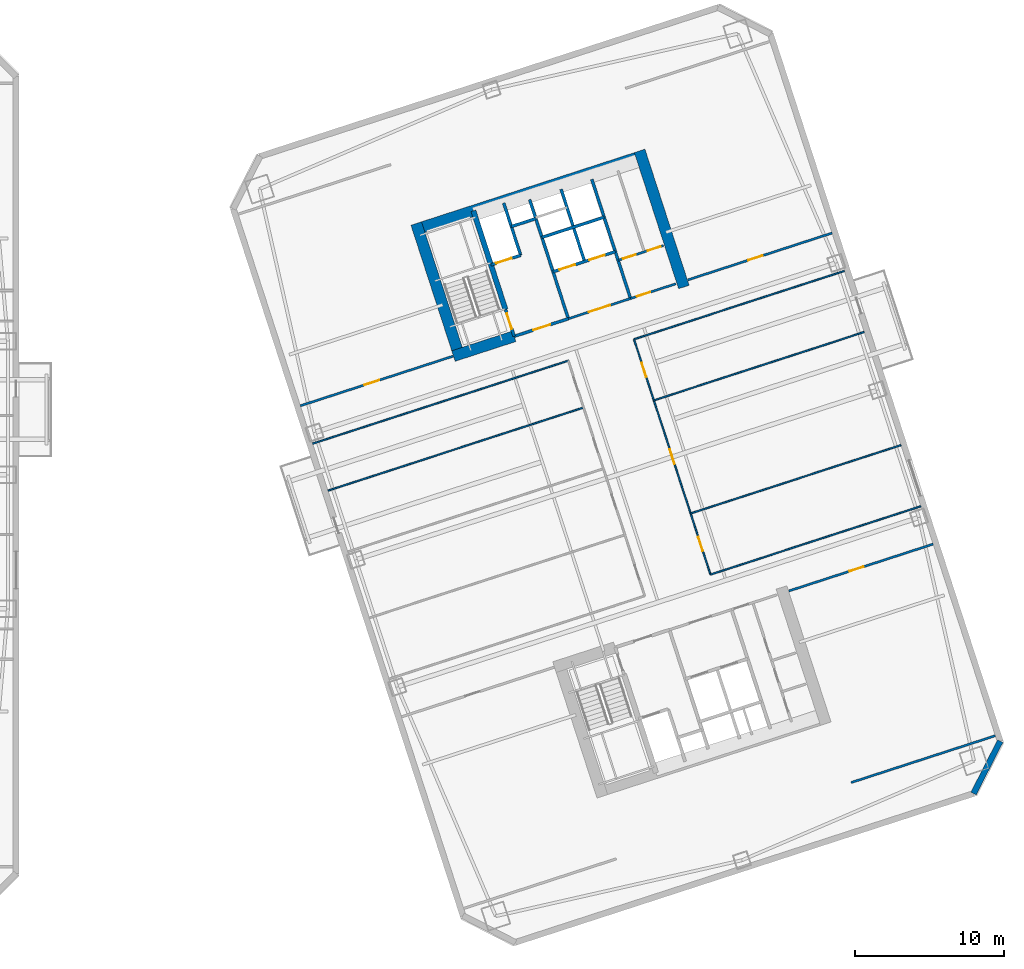
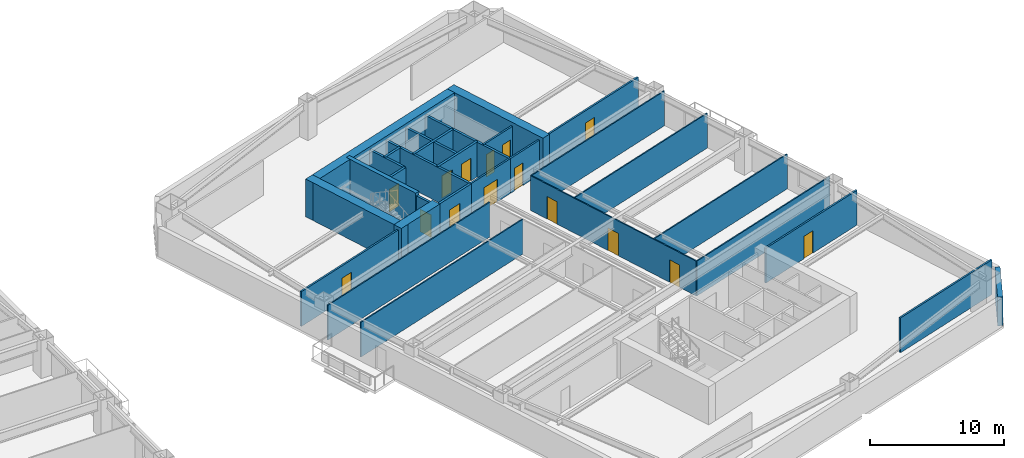
# One storey, part 8 of 15: 30 walls, 15 doors, 15 openings.
"""IFC4 building model written with IfcOpenShell, lengths in metres."""

from ifc_helpers import new_model, si_unit, direction, frame, frame_2d, origin, place, context, subcontext, project, spatial, rectangle, extrude, material, layer, layer_set, type_object, element, fill, save


model = new_model("IFC4")

# Units and contexts
model_context = context("Model", 3, precision=1e-05, world=origin(), true_north=direction((0.0, 1.0)))
body_context = subcontext(model_context, "Body", "Model", "MODEL_VIEW")
ifc_project = project(units=[si_unit("LENGTHUNIT", "METRE"), si_unit("AREAUNIT", "SQUARE_METRE"), si_unit("VOLUMEUNIT", "CUBIC_METRE"), si_unit("PLANEANGLEUNIT", "RADIAN"), si_unit("MASSUNIT", "GRAM", prefix="KILO")], contexts=[model_context])

# Site, building, storey
site_placement = place(None, origin())
site = spatial("IfcSite", under=ifc_project, at=site_placement, CompositionType="ELEMENT")
building_placement = place(site_placement, origin())
building = spatial("IfcBuilding", under=site, at=building_placement, Name="Qiaolan Cultural Towers", CompositionType="ELEMENT")
storey_placement = place(building_placement, frame((0.0, 0.0, 50.60009765625)))
storey = spatial("IfcBuildingStorey", under=building, at=storey_placement, Name="L11", CompositionType="ELEMENT", Elevation=50.60009765625)

# Walls
ifc_material_1 = material(Name="Concrete C50", Category="concrete")
ifc_layer_1 = layer(ifc_material_1, 0.35009765625)
ifc_layer_set_1 = layer_set([ifc_layer_1], Name="Concrete C50")
wall_type_1 = type_object("IfcWallType", Name="WL-CORE-350", PredefinedType="SHEAR", material=ifc_layer_set_1)
wall_1_placement = place(storey_placement, frame((82.513671875, 45.13134765625, 0.0), z_axis=(0.0, 0.0, 1.0), x_axis=(-0.308988790936, 0.951065679686, 0.0)))
element("IfcWall", 1, at=wall_1_placement, inside=storey, type_object=wall_type_1, Name="L11 T2-CN Stair Core Dividing Web", PredefinedType="SHEAR", context=body_context, shape_type="SweptSolid", body=[
    extrude(rectangle(XDim=6.97998046875, YDim=0.35009765625, at=frame_2d((3.489990234375, 0.0))), origin(), (0.0, 0.0, 1.0), 3.449951171875),
])
ifc_material_2 = material(Name="Concrete C60", Category="concrete")
ifc_layer_2 = layer(ifc_material_2, 0.75)
ifc_layer_set_2 = layer_set([ifc_layer_2], Name="Concrete C60")
wall_type_2 = type_object("IfcWallType", Name="WL-CORE-750", PredefinedType="SHEAR", material=ifc_layer_set_2)
wall_2_placement = place(storey_placement, frame((76.27197265625, 50.442626953125, 0.0), z_axis=(0.0, 0.0, 1.0), x_axis=(0.951056072937, 0.309018358888, 0.0)))
element("IfcWall", 2, at=wall_2_placement, inside=storey, type_object=wall_type_2, Name="L11 T2-CN Outer Core Shear Wall", PredefinedType="SHEAR", context=body_context, shape_type="SweptSolid", body=[
    extrude(rectangle(XDim=16.550048828125, YDim=0.75, at=frame_2d((8.27490234375, 0.0))), origin(), (0.0, 0.0, 1.0), 3.449951171875),
])
for number, where, z_axis, x_axis, name in (
    (3, (79.48876953125, 41.75634765625, 0.0), (0.0, 0.0, 1.0), (-0.309016134813, 0.951056795583, 0.0), "L11 T2-CN West Core Shear Wall"),
    (4, (94.515380859375, 46.638916015625, 0.0), (0.0, 0.0, 1.0), (-0.309016134813, 0.951056795583, 0.0), "L11 T2-CN East Core Shear Wall"),
):
    element("IfcWall", number, at=place(storey_placement, frame(where, z_axis=z_axis, x_axis=x_axis)), inside=storey, type_object=wall_type_2, Name=name, PredefinedType="SHEAR", context=body_context, shape_type="SweptSolid", body=[
        extrude(rectangle(XDim=9.630126953125, YDim=0.75, at=frame_2d((4.81494140625, 0.0))), origin(), (0.0, 0.0, 1.0), 3.449951171875),
    ])
wall_3_placement = place(storey_placement, frame((79.01611328125, 41.997314453125, 0.0), z_axis=(0.0, 0.0, 1.0), x_axis=(0.95106038264, 0.309005094736, 0.0)))
element("IfcWall", 5, at=wall_3_placement, inside=storey, type_object=wall_type_2, Name="L11 T2-CN Stair Front Shear Wall", PredefinedType="SHEAR", context=body_context, shape_type="SweptSolid", body=[
    extrude(rectangle(XDim=4.294921875, YDim=0.75, at=frame_2d((2.1474609375, 0.0))), origin(), (0.0, 0.0, 1.0), 3.449951171875),
])
ifc_material_3 = material(Name="Precast Concrete C50 Honed Stone Pier", Category="masonry")
ifc_layer_3 = layer(ifc_material_3, 0.39990234375)
ifc_layer_set_3 = layer_set([ifc_layer_3], Name="Precast Concrete C50 Honed Stone Pier")
wall_type_3 = type_object("IfcWallType", Name="WL-EXT-PIER-400", PredefinedType="SOLIDWALL", material=ifc_layer_set_3)
wall_4_placement = place(storey_placement, frame((115.79541015625, 16.094970703125, 0.0), z_axis=(0.0, 0.0, 1.0), x_axis=(-0.453958106755, -0.891023028497, 0.0)))
element("IfcWall", 6, at=wall_4_placement, inside=storey, type_object=wall_type_3, Name="L11 East Tower Precast Pier Facade Wall F6", PredefinedType="SOLIDWALL", context=body_context, shape_type="SweptSolid", body=[
    extrude(rectangle(XDim=3.9599609375, YDim=0.39990234375, at=frame_2d((1.97998046875, 0.0))), origin(), (0.0, 0.0, 1.0), 2.60986328125),
])

# Wall, opening, door
ifc_material_4 = material(Name="Concrete C35 Fire Wall", Category="concrete")
ifc_layer_4 = layer(ifc_material_4, 0.199951171875)
ifc_layer_set_4 = layer_set([ifc_layer_4], Name="Concrete C35 Fire Wall")
wall_type_4 = type_object("IfcWallType", Name="WL-FIRE-200", PredefinedType="PARTITIONING", material=ifc_layer_set_4)
wall_5_placement = place(storey_placement, frame((83.100830078125, 43.324462890625, 0.0), z_axis=(0.0, 0.0, 1.0), x_axis=(-0.309048298632, 0.951046344356, 0.0)))
wall_5 = element("IfcWall", 7, at=wall_5_placement, inside=storey, type_object=wall_type_4, Name="L11 T2-CN Smokeproof Stair Entry Wall", PredefinedType="PARTITIONING", context=body_context, shape_type="SweptSolid", body=[
    extrude(rectangle(XDim=1.89990234375, YDim=0.199951171875, at=frame_2d((0.949951171875, 0.0))), origin(), (0.0, 0.0, 1.0), 3.1748046875),
])
opening_1_placement = place(wall_5_placement, frame((0.52001953125, 0.0, 0.0)))
opening_1 = element("IfcOpeningElement", 8, at=opening_1_placement, cuts=wall_5, Name="Opening FD-04", PredefinedType="OPENING", context=body_context, shape_type="SweptSolid", body=[
    extrude(rectangle(XDim=1.10009765625, YDim=2.050048828125, at=frame_2d((0.550048828125, 1.02490234375))), frame((0.0, 0.10986328125, 0.0), z_axis=(0.0, -1.0, 0.0), x_axis=(1.0, 0.0, 0.0)), (0.0, 0.0, 1.0), 0.219970703125),
])
ifc_material_5 = material(Name="Galvanized Steel Command Fire Door", Category="steel")
door_type_1 = type_object("IfcDoorType", Name="DR-FD90-1100", OperationType="NOTDEFINED", PredefinedType="DOOR", material=ifc_material_5)
door_1_placement = place(opening_1_placement, origin())
door_1 = element("IfcDoor", 9, at=door_1_placement, inside=storey, type_object=door_type_1, Name="L11 ST-E2 Smokeproof Stair Fire Door", OperationType="SINGLE_SWING_LEFT", OverallHeight=2.050048828125, OverallWidth=1.10009765625, PredefinedType="DOOR", context=body_context, shape_type="SweptSolid", body=[
    extrude(rectangle(XDim=1.10009765625, YDim=2.050048828125, at=frame_2d((0.550048828125, 1.02490234375))), frame((0.0, 0.02490234375, 0.0), z_axis=(0.0, -1.0, 0.0), x_axis=(1.0, 0.0, 0.0)), (0.0, 0.0, 1.0), 0.050048828125),
])
fill(opening_1, door_1)

# Wall
wall_6_placement = place(storey_placement, frame((86.743408203125, 44.508056640625, 0.0), z_axis=(0.0, 0.0, 1.0), x_axis=(-0.309016001439, 0.951056838919, 0.0)))
element("IfcWall", 10, at=wall_6_placement, inside=storey, type_object=wall_type_4, Name="L11 T2-CN Firefighting Zone Wall", PredefinedType="PARTITIONING", context=body_context, shape_type="SweptSolid", body=[
    extrude(rectangle(XDim=8.429931640625, YDim=0.199951171875, at=frame_2d((4.21484375, 0.0))), origin(), (0.0, 0.0, 1.0), 3.1748046875),
])

# Wall, opening, door
wall_7_placement = place(storey_placement, frame((83.100830078125, 43.324462890625, 0.0), z_axis=(0.0, 0.0, 1.0), x_axis=(0.951052804469, 0.309028417967, 0.0)))
wall_7 = element("IfcWall", 11, at=wall_7_placement, inside=storey, type_object=wall_type_4, Name="L11 T2-CN Firefighting Lobby Front Wall", PredefinedType="PARTITIONING", context=body_context, shape_type="SweptSolid", body=[
    extrude(rectangle(XDim=3.830078125, YDim=0.199951171875, at=frame_2d((1.9150390625, 0.0))), origin(), (0.0, 0.0, 1.0), 3.1748046875),
])
opening_2_placement = place(wall_7_placement, frame((1.35009765625, 0.0, 0.0)))
opening_2 = element("IfcOpeningElement", 12, at=opening_2_placement, cuts=wall_7, Name="Opening FD-03", PredefinedType="OPENING", context=body_context, shape_type="SweptSolid", body=[
    extrude(rectangle(XDim=1.199951171875, YDim=2.050048828125, at=frame_2d((0.60009765625, 1.02490234375))), frame((0.0, 0.10986328125, 0.0), z_axis=(0.0, -1.0, 0.0), x_axis=(1.0, 0.0, 0.0)), (0.0, 0.0, 1.0), 0.219970703125),
])
ifc_material_6 = material(Name="Galvanized Steel Smokeproof Lobby Fire Door", Category="steel")
door_type_2 = type_object("IfcDoorType", Name="DR-FD90-1200", OperationType="NOTDEFINED", PredefinedType="DOOR", material=ifc_material_6)
door_2_placement = place(opening_2_placement, origin())
door_2 = element("IfcDoor", 13, at=door_2_placement, inside=storey, type_object=door_type_2, Name="L11 FFL-E2 Firefighting Lobby Fire Door", OperationType="SINGLE_SWING_LEFT", OverallHeight=2.050048828125, OverallWidth=1.199951171875, PredefinedType="DOOR", context=body_context, shape_type="SweptSolid", body=[
    extrude(rectangle(XDim=1.199951171875, YDim=2.050048828125, at=frame_2d((0.60009765625, 1.02490234375))), frame((0.0, 0.02490234375, 0.0), z_axis=(0.0, -1.0, 0.0), x_axis=(1.0, 0.0, 0.0)), (0.0, 0.0, 1.0), 0.050048828125),
])
fill(opening_2, door_2)

wall_8_placement = place(storey_placement, frame((81.540283203125, 48.127197265625, 0.0), z_axis=(0.0, 0.0, 1.0), x_axis=(0.951062257173, 0.308999325213, 0.0)))
wall_8 = element("IfcWall", 14, at=wall_8_placement, inside=storey, type_object=wall_type_4, Name="L11 T2-CN Firefighting Shaft Front Wall", PredefinedType="PARTITIONING", context=body_context, shape_type="SweptSolid", body=[
    extrude(rectangle(XDim=2.10009765625, YDim=0.199951171875, at=frame_2d((1.050048828125, 0.0))), origin(), (0.0, 0.0, 1.0), 3.1748046875),
])
opening_3_placement = place(wall_8_placement, frame((0.35009765625, 0.0, 0.0)))
opening_3 = element("IfcOpeningElement", 15, at=opening_3_placement, cuts=wall_8, Name="Opening LD-01", PredefinedType="OPENING", context=body_context, shape_type="SweptSolid", body=[
    extrude(rectangle(XDim=1.10009765625, YDim=2.050048828125, at=frame_2d((0.550048828125, 1.02490234375))), frame((0.0, 0.10986328125, 0.0), z_axis=(0.0, -1.0, 0.0), x_axis=(1.0, 0.0, 0.0)), (0.0, 0.0, 1.0), 0.219970703125),
])
ifc_material_7 = material(Name="Brushed Stainless Steel S30408 Centre-Parting Lift Landing Door", Category="steel")
door_type_3 = type_object("IfcDoorType", Name="DR-LIFT-1100", OperationType="NOTDEFINED", PredefinedType="DOOR", material=ifc_material_7)
door_3_placement = place(opening_3_placement, origin())
door_3 = element("IfcDoor", 16, at=door_3_placement, inside=storey, type_object=door_type_3, Name="L11 FFL-E2 Firefighting Lift Landing Door", OperationType="DOUBLE_DOOR_SLIDING", OverallHeight=2.050048828125, OverallWidth=1.10009765625, PredefinedType="DOOR", context=body_context, shape_type="SweptSolid", body=[
    extrude(rectangle(XDim=1.10009765625, YDim=2.050048828125, at=frame_2d((0.550048828125, 1.02490234375))), frame((0.0, 0.02490234375, 0.0), z_axis=(0.0, -1.0, 0.0), x_axis=(1.0, 0.0, 0.0)), (0.0, 0.0, 1.0), 0.050048828125),
])
fill(opening_3, door_3)

# Walls
wall_9_placement = place(storey_placement, frame((83.53759765625, 48.776123046875, 0.0), z_axis=(0.0, 0.0, 1.0), x_axis=(-0.3089935693, 0.951064127245, 0.0)))
element("IfcWall", 17, at=wall_9_placement, inside=storey, type_object=wall_type_4, Name="L11 T2-CN Firefighting Hoistway East Wall", PredefinedType="PARTITIONING", context=body_context, shape_type="SweptSolid", body=[
    extrude(rectangle(XDim=3.7001953125, YDim=0.199951171875, at=frame_2d((1.85009765625, 0.0))), origin(), (0.0, 0.0, 1.0), 3.1748046875),
])
wall_10_placement = place(storey_placement, frame((82.910400390625, 50.706787109375, 0.0), z_axis=(0.0, 0.0, 1.0), x_axis=(0.951041328149, 0.309063734775, 0.0)))
element("IfcWall", 18, at=wall_10_placement, inside=storey, type_object=wall_type_4, Name="L11 T2-CN Pressurization Shaft Front Wall", PredefinedType="PARTITIONING", context=body_context, shape_type="SweptSolid", body=[
    extrude(rectangle(XDim=1.72998046875, YDim=0.199951171875, at=frame_2d((0.864990234375, 0.0))), origin(), (0.0, 0.0, 1.0), 3.1748046875),
])
wall_11_placement = place(storey_placement, frame((90.92822265625, 45.86767578125, 0.0), z_axis=(0.0, 0.0, 1.0), x_axis=(-0.309042196757, 0.951048327176, 0.0)))
element("IfcWall", 19, at=wall_11_placement, inside=storey, type_object=wall_type_4, Name="L11 T2-CN Lift Core East Wall", PredefinedType="PARTITIONING", context=body_context, shape_type="SweptSolid", body=[
    extrude(rectangle(XDim=8.429931640625, YDim=0.199951171875, at=frame_2d((4.21484375, 0.0))), origin(), (0.0, 0.0, 1.0), 3.1748046875),
])

# Wall, openings, doors
wall_12_placement = place(storey_placement, frame((85.717529296875, 47.66552734375, 0.0), z_axis=(0.0, 0.0, 1.0), x_axis=(0.951058531764, 0.30901079133, 0.0)))
wall_12 = element("IfcWall", 20, at=wall_12_placement, inside=storey, type_object=wall_type_4, Name="L11 T2-CN Passenger Lift Shaft Front Wall", PredefinedType="PARTITIONING", context=body_context, shape_type="SweptSolid", body=[
    extrude(rectangle(XDim=4.39990234375, YDim=0.199951171875, at=frame_2d((2.199951171875, 0.0))), origin(), (0.0, 0.0, 1.0), 3.1748046875),
])
opening_4_placement = place(wall_12_placement, frame((0.449951171875, 0.0, 0.0)))
opening_4 = element("IfcOpeningElement", 21, at=opening_4_placement, cuts=wall_12, Name="Opening LD-01", PredefinedType="OPENING", context=body_context, shape_type="SweptSolid", body=[
    extrude(rectangle(XDim=1.10009765625, YDim=2.050048828125, at=frame_2d((0.550048828125, 1.02490234375))), frame((0.0, 0.10986328125, 0.0), z_axis=(0.0, -1.0, 0.0), x_axis=(1.0, 0.0, 0.0)), (0.0, 0.0, 1.0), 0.219970703125),
])
opening_5_placement = place(wall_12_placement, frame((2.550048828125, 0.0, 0.0)))
opening_5 = element("IfcOpeningElement", 22, at=opening_5_placement, cuts=wall_12, Name="Opening LD-01", PredefinedType="OPENING", context=body_context, shape_type="SweptSolid", body=[
    extrude(rectangle(XDim=1.10009765625, YDim=2.050048828125, at=frame_2d((0.550048828125, 1.02490234375))), frame((0.0, 0.10986328125, 0.0), z_axis=(0.0, -1.0, 0.0), x_axis=(1.0, 0.0, 0.0)), (0.0, 0.0, 1.0), 0.219970703125),
])
door_4_placement = place(opening_4_placement, origin())
door_4 = element("IfcDoor", 23, at=door_4_placement, inside=storey, type_object=door_type_3, Name="L11 Passenger Lift 1 Landing Door", OperationType="DOUBLE_DOOR_SLIDING", OverallHeight=2.050048828125, OverallWidth=1.10009765625, PredefinedType="DOOR", context=body_context, shape_type="SweptSolid", body=[
    extrude(rectangle(XDim=1.10009765625, YDim=2.050048828125, at=frame_2d((0.550048828125, 1.02490234375))), frame((0.0, 0.02490234375, 0.0), z_axis=(0.0, -1.0, 0.0), x_axis=(1.0, 0.0, 0.0)), (0.0, 0.0, 1.0), 0.050048828125),
])
fill(opening_4, door_4)
door_5_placement = place(opening_5_placement, origin())
door_5 = element("IfcDoor", 24, at=door_5_placement, inside=storey, type_object=door_type_3, Name="L11 Passenger Lift 2 Landing Door", OperationType="DOUBLE_DOOR_SLIDING", OverallHeight=2.050048828125, OverallWidth=1.10009765625, PredefinedType="DOOR", context=body_context, shape_type="SweptSolid", body=[
    extrude(rectangle(XDim=1.10009765625, YDim=2.050048828125, at=frame_2d((0.550048828125, 1.02490234375))), frame((0.0, 0.02490234375, 0.0), z_axis=(0.0, -1.0, 0.0), x_axis=(1.0, 0.0, 0.0)), (0.0, 0.0, 1.0), 0.050048828125),
])
fill(opening_5, door_5)

# Walls
wall_13_placement = place(storey_placement, frame((87.83837890625, 48.3544921875, 0.0), z_axis=(0.0, 0.0, 1.0), x_axis=(-0.3090093719, 0.951058992953, 0.0)))
element("IfcWall", 25, at=wall_13_placement, inside=storey, type_object=wall_type_4, Name="L11 T2-CN Lift Shaft Divider Wall", PredefinedType="PARTITIONING", context=body_context, shape_type="SweptSolid", body=[
    extrude(rectangle(XDim=5.110107421875, YDim=0.199951171875, at=frame_2d((2.55517578125, 0.0))), origin(), (0.0, 0.0, 1.0), 3.1748046875),
])
wall_14_placement = place(storey_placement, frame((84.966552734375, 49.9765625, 0.0), z_axis=(0.0, 0.0, 1.0), x_axis=(0.951063829732, 0.308994485023, 0.0)))
element("IfcWall", 26, at=wall_14_placement, inside=storey, type_object=wall_type_4, Name="L11 T2-CN Passenger Lift Shaft Back Wall", PredefinedType="PARTITIONING", context=body_context, shape_type="SweptSolid", body=[
    extrude(rectangle(XDim=4.400146484375, YDim=0.199951171875, at=frame_2d((2.2001953125, 0.0))), origin(), (0.0, 0.0, 1.0), 3.1748046875),
])
ifc_material_8 = material(Name="Acoustic Double-Glazed Partition Frame", Category="glass")
ifc_layer_5 = layer(ifc_material_8, 0.10009765625)
ifc_layer_set_5 = layer_set([ifc_layer_5], Name="Acoustic Double-Glazed Partition Frame")
wall_type_5 = type_object("IfcWallType", Name="WL-GLAZED-100", PredefinedType="MOVABLE", material=ifc_layer_set_5)
wall_15_placement = place(storey_placement, frame((96.303955078125, 27.300048828125, 0.0), z_axis=(0.0, 0.0, 1.0), x_axis=(0.951055535739, 0.309020012199, 0.0)))
element("IfcWall", 27, at=wall_15_placement, inside=storey, type_object=wall_type_5, Name="L11 T2 South Corridor Right Wall", PredefinedType="MOVABLE", context=body_context, shape_type="SweptSolid", body=[
    extrude(rectangle(XDim=14.875, YDim=0.10009765625, at=frame_2d((7.4375, 0.0))), origin(), (0.0, 0.0, 1.0), 3.1748046875),
])
wall_16_placement = place(storey_placement, frame((69.549072265625, 36.103271484375, 0.0), z_axis=(0.0, 0.0, 1.0), x_axis=(0.951057491432, 0.309013993197, 0.0)))
element("IfcWall", 28, at=wall_16_placement, inside=storey, type_object=wall_type_5, Name="L11 T2 North Corridor Left Wall", PredefinedType="MOVABLE", context=body_context, shape_type="SweptSolid", body=[
    extrude(rectangle(XDim=18.074951171875, YDim=0.10009765625, at=frame_2d((9.03759765625, 0.0))), origin(), (0.0, 0.0, 1.0), 3.1748046875),
])
wall_17_placement = place(storey_placement, frame((91.161865234375, 43.125732421875, 0.0), z_axis=(0.0, 0.0, 1.0), x_axis=(0.951055535739, 0.309020012199, 0.0)))
element("IfcWall", 29, at=wall_17_placement, inside=storey, type_object=wall_type_5, Name="L11 T2 North Corridor Right Wall", PredefinedType="MOVABLE", context=body_context, shape_type="SweptSolid", body=[
    extrude(rectangle(XDim=14.875, YDim=0.10009765625, at=frame_2d((7.4375, 0.0))), origin(), (0.0, 0.0, 1.0), 3.1748046875),
])

# Wall, openings, doors
wall_18_placement = place(storey_placement, frame((96.303955078125, 27.300048828125, 0.0), z_axis=(0.0, 0.0, 1.0), x_axis=(-0.30901773025, 0.951056277195, 0.0)))
wall_18 = element("IfcWall", 30, at=wall_18_placement, inside=storey, type_object=wall_type_5, Name="L11 T2 East Spine Wall", PredefinedType="MOVABLE", context=body_context, shape_type="SweptSolid", body=[
    extrude(rectangle(XDim=16.64013671875, YDim=0.10009765625, at=frame_2d((8.320068359375, 0.0))), origin(), (0.0, 0.0, 1.0), 3.1748046875),
])
opening_6_placement = place(wall_18_placement, frame((1.659912109375, 0.0, 0.0)))
opening_6 = element("IfcOpeningElement", 31, at=opening_6_placement, cuts=wall_18, Name="Opening ID-04", PredefinedType="OPENING", context=body_context, shape_type="SweptSolid", body=[
    extrude(rectangle(XDim=1.0, YDim=2.050048828125, at=frame_2d((0.5, 1.02490234375))), frame((0.0, 0.06005859375, 0.0), z_axis=(0.0, -1.0, 0.0), x_axis=(1.0, 0.0, 0.0)), (0.0, 0.0, 1.0), 0.1201171875),
])
opening_7_placement = place(wall_18_placement, frame((7.820068359375, 0.0, 0.0)))
opening_7 = element("IfcOpeningElement", 32, at=opening_7_placement, cuts=wall_18, Name="Opening ID-07", PredefinedType="OPENING", context=body_context, shape_type="SweptSolid", body=[
    extrude(rectangle(XDim=1.050048828125, YDim=2.050048828125, at=frame_2d((0.52490234375, 1.02490234375))), frame((0.0, 0.06005859375, 0.0), z_axis=(0.0, -1.0, 0.0), x_axis=(1.0, 0.0, 0.0)), (0.0, 0.0, 1.0), 0.1201171875),
])
opening_8_placement = place(wall_18_placement, frame((13.97998046875, 0.0, 0.0)))
opening_8 = element("IfcOpeningElement", 33, at=opening_8_placement, cuts=wall_18, Name="Opening ID-04", PredefinedType="OPENING", context=body_context, shape_type="SweptSolid", body=[
    extrude(rectangle(XDim=1.0, YDim=2.050048828125, at=frame_2d((0.5, 1.02490234375))), frame((0.0, 0.06005859375, 0.0), z_axis=(0.0, -1.0, 0.0), x_axis=(1.0, 0.0, 0.0)), (0.0, 0.0, 1.0), 0.1201171875),
])
ifc_material_9 = material(Name="Oak Veneer Acoustic Office Door", Category="timber")
door_type_4 = type_object("IfcDoorType", Name="DR-INT-1000", OperationType="NOTDEFINED", PredefinedType="DOOR", material=ifc_material_9)
door_6_placement = place(opening_6_placement, origin())
door_6 = element("IfcDoor", 34, at=door_6_placement, inside=storey, type_object=door_type_4, Name="L11 T2 Cultural Bookstore Gallery Door", OperationType="SINGLE_SWING_RIGHT", OverallHeight=2.050048828125, OverallWidth=1.0, PredefinedType="DOOR", context=body_context, shape_type="SweptSolid", body=[
    extrude(rectangle(XDim=1.0, YDim=2.050048828125, at=frame_2d((0.5, 1.02490234375))), frame((0.0, 0.02490234375, 0.0), z_axis=(0.0, -1.0, 0.0), x_axis=(1.0, 0.0, 0.0)), (0.0, 0.0, 1.0), 0.050048828125),
])
fill(opening_6, door_6)
door_7_placement = place(opening_8_placement, origin())
door_7 = element("IfcDoor", 35, at=door_7_placement, inside=storey, type_object=door_type_4, Name="L11 T2 Staff Dining Kitchen Door", OperationType="SINGLE_SWING_RIGHT", OverallHeight=2.050048828125, OverallWidth=1.0, PredefinedType="DOOR", context=body_context, shape_type="SweptSolid", body=[
    extrude(rectangle(XDim=1.0, YDim=2.050048828125, at=frame_2d((0.5, 1.02490234375))), frame((0.0, 0.02490234375, 0.0), z_axis=(0.0, -1.0, 0.0), x_axis=(1.0, 0.0, 0.0)), (0.0, 0.0, 1.0), 0.050048828125),
])
fill(opening_8, door_7)
ifc_material_10 = material(Name="Oak Veneer Consultation Door", Category="timber")
door_type_5 = type_object("IfcDoorType", Name="DR-INT-1050", OperationType="NOTDEFINED", PredefinedType="DOOR", material=ifc_material_10)
door_8_placement = place(opening_7_placement, origin())
door_8 = element("IfcDoor", 36, at=door_8_placement, inside=storey, type_object=door_type_5, Name="L11 T2 Design Archive Studio Door", OperationType="SINGLE_SWING_LEFT", OverallHeight=2.050048828125, OverallWidth=1.050048828125, PredefinedType="DOOR", context=body_context, shape_type="SweptSolid", body=[
    extrude(rectangle(XDim=1.050048828125, YDim=2.050048828125, at=frame_2d((0.52490234375, 1.02490234375))), frame((0.0, 0.02490234375, 0.0), z_axis=(0.0, -1.0, 0.0), x_axis=(1.0, 0.0, 0.0)), (0.0, 0.0, 1.0), 0.050048828125),
])
fill(opening_7, door_8)

# Walls
wall_19_placement = place(storey_placement, frame((70.574951171875, 32.94580078125, 0.0), z_axis=(0.0, 0.0, 1.0), x_axis=(0.951057491432, 0.309013993197, 0.0)))
element("IfcWall", 37, at=wall_19_placement, inside=storey, type_object=wall_type_5, Name="L11 T2 West Partition 5", PredefinedType="MOVABLE", context=body_context, shape_type="SweptSolid", body=[
    extrude(rectangle(XDim=18.074951171875, YDim=0.10009765625, at=frame_2d((9.03759765625, 0.0))), origin(), (0.0, 0.0, 1.0), 3.1748046875),
])
for number, where, z_axis, x_axis, name in (
    (38, (94.968994140625, 31.40869140625, 0.0), (0.0, 0.0, 1.0), (0.951055535739, 0.309020012199, 0.0), "L11 T2 East Partition 1"),
    (39, (92.496826171875, 39.01708984375, 0.0), (0.0, 0.0, 1.0), (0.951055535739, 0.309020012199, 0.0), "L11 T2 East Partition 2"),
):
    element("IfcWall", number, at=place(storey_placement, frame(where, z_axis=z_axis, x_axis=x_axis)), inside=storey, type_object=wall_type_5, Name=name, PredefinedType="MOVABLE", context=body_context, shape_type="SweptSolid", body=[
        extrude(rectangle(XDim=14.875, YDim=0.10009765625, at=frame_2d((7.4375, 0.0))), origin(), (0.0, 0.0, 1.0), 3.1748046875),
    ])

# Wall, opening, door
ifc_material_11 = material(Name="Autoclaved Aerated Concrete Block B06", Category="concrete")
ifc_layer_6 = layer(ifc_material_11, 0.14990234375)
ifc_layer_set_6 = layer_set([ifc_layer_6], Name="Autoclaved Aerated Concrete Block B06")
wall_type_6 = type_object("IfcWallType", Name="WL-PART-150", PredefinedType="PARTITIONING", material=ifc_layer_set_6)
wall_20_placement = place(storey_placement, frame((86.743408203125, 44.508056640625, 0.0), z_axis=(0.0, 0.0, 1.0), x_axis=(0.951063829732, 0.308994485023, 0.0)))
wall_20 = element("IfcWall", 40, at=wall_20_placement, inside=storey, type_object=wall_type_6, Name="L11 T2-CN Passenger Lift Lobby Front Wall", PredefinedType="PARTITIONING", context=body_context, shape_type="SweptSolid", body=[
    extrude(rectangle(XDim=4.400146484375, YDim=0.14990234375, at=frame_2d((2.2001953125, 0.0))), origin(), (0.0, 0.0, 1.0), 3.1748046875),
])
opening_9_placement = place(wall_20_placement, frame((1.449951171875, 0.0, 0.0)))
opening_9 = element("IfcOpeningElement", 41, at=opening_9_placement, cuts=wall_20, Name="Opening FD-05", PredefinedType="OPENING", context=body_context, shape_type="SweptSolid", body=[
    extrude(rectangle(XDim=1.5, YDim=2.050048828125, at=frame_2d((0.75, 1.02490234375))), frame((0.0, 0.0849609375, 0.0), z_axis=(0.0, -1.0, 0.0), x_axis=(1.0, 0.0, 0.0)), (0.0, 0.0, 1.0), 0.169921875),
])
ifc_material_12 = material(Name="Painted Steel Lift Lobby Fire Door", Category="steel")
door_type_6 = type_object("IfcDoorType", Name="DR-FD60-1500", OperationType="NOTDEFINED", PredefinedType="DOOR", material=ifc_material_12)
door_9_placement = place(opening_9_placement, origin())
door_9 = element("IfcDoor", 42, at=door_9_placement, inside=storey, type_object=door_type_6, Name="L11 Passenger Lift Lobby Entrance", OperationType="SINGLE_SWING_LEFT", OverallHeight=2.050048828125, OverallWidth=1.5, PredefinedType="DOOR", context=body_context, shape_type="SweptSolid", body=[
    extrude(rectangle(XDim=1.5, YDim=2.050048828125, at=frame_2d((0.75, 1.02490234375))), frame((0.0, 0.02490234375, 0.0), z_axis=(0.0, -1.0, 0.0), x_axis=(1.0, 0.0, 0.0)), (0.0, 0.0, 1.0), 0.050048828125),
])
fill(opening_9, door_9)

wall_21_placement = place(storey_placement, frame((90.92822265625, 45.86767578125, 0.0), z_axis=(0.0, 0.0, 1.0), x_axis=(0.951059297078, 0.309008435874, 0.0)))
wall_21 = element("IfcWall", 43, at=wall_21_placement, inside=storey, type_object=wall_type_6, Name="L11 T2-CN Sanitary Core Front Wall", PredefinedType="PARTITIONING", context=body_context, shape_type="SweptSolid", body=[
    extrude(rectangle(XDim=3.19970703125, YDim=0.14990234375, at=frame_2d((1.599853515625, 0.0))), origin(), (0.0, 0.0, 1.0), 3.1748046875),
])
opening_10_placement = place(wall_21_placement, frame((0.449951171875, 0.0, 0.0)))
opening_10 = element("IfcOpeningElement", 44, at=opening_10_placement, cuts=wall_21, Name="Opening ID-05", PredefinedType="OPENING", context=body_context, shape_type="SweptSolid", body=[
    extrude(rectangle(XDim=0.949951171875, YDim=2.050048828125, at=frame_2d((0.47509765625, 1.02490234375))), frame((0.0, 0.0849609375, 0.0), z_axis=(0.0, -1.0, 0.0), x_axis=(1.0, 0.0, 0.0)), (0.0, 0.0, 1.0), 0.169921875),
])
ifc_material_13 = material(Name="Fire-Rated Laminate Accessible Core Door", Category="timber")
door_type_7 = type_object("IfcDoorType", Name="DR-INT-950", OperationType="NOTDEFINED", PredefinedType="DOOR", material=ifc_material_13)
door_10_placement = place(opening_10_placement, origin())
door_10 = element("IfcDoor", 45, at=door_10_placement, inside=storey, type_object=door_type_7, Name="L11 Sanitary Vestibule Door", OperationType="SINGLE_SWING_LEFT", OverallHeight=2.050048828125, OverallWidth=0.949951171875, PredefinedType="DOOR", context=body_context, shape_type="SweptSolid", body=[
    extrude(rectangle(XDim=0.949951171875, YDim=2.050048828125, at=frame_2d((0.47509765625, 1.02490234375))), frame((0.0, 0.02490234375, 0.0), z_axis=(0.0, -1.0, 0.0), x_axis=(1.0, 0.0, 0.0)), (0.0, 0.0, 1.0), 0.050048828125),
])
fill(opening_10, door_10)

# Wall, openings, doors
wall_22_placement = place(storey_placement, frame((90.09375, 48.435546875, 0.0), z_axis=(0.0, 0.0, 1.0), x_axis=(0.951066581729, 0.308986014439, 0.0)))
wall_22 = element("IfcWall", 46, at=wall_22_placement, inside=storey, type_object=wall_type_6, Name="L11 T2-CN Restroom Vestibule Wall", PredefinedType="PARTITIONING", context=body_context, shape_type="SweptSolid", body=[
    extrude(rectangle(XDim=3.199951171875, YDim=0.14990234375, at=frame_2d((1.60009765625, 0.0))), origin(), (0.0, 0.0, 1.0), 3.1748046875),
])
opening_11_placement = place(wall_22_placement, frame((0.35009765625, 0.0, 0.0)))
opening_11 = element("IfcOpeningElement", 47, at=opening_11_placement, cuts=wall_22, Name="Opening ID-06", PredefinedType="OPENING", context=body_context, shape_type="SweptSolid", body=[
    extrude(rectangle(XDim=0.89990234375, YDim=2.050048828125, at=frame_2d((0.449951171875, 1.02490234375))), frame((0.0, 0.0849609375, 0.0), z_axis=(0.0, -1.0, 0.0), x_axis=(1.0, 0.0, 0.0)), (0.0, 0.0, 1.0), 0.169921875),
])
opening_12_placement = place(wall_22_placement, frame((2.10009765625, 0.0, 0.0)))
opening_12 = element("IfcOpeningElement", 48, at=opening_12_placement, cuts=wall_22, Name="Opening ID-06", PredefinedType="OPENING", context=body_context, shape_type="SweptSolid", body=[
    extrude(rectangle(XDim=0.89990234375, YDim=2.050048828125, at=frame_2d((0.449951171875, 1.02490234375))), frame((0.0, 0.0849609375, 0.0), z_axis=(0.0, -1.0, 0.0), x_axis=(1.0, 0.0, 0.0)), (0.0, 0.0, 1.0), 0.169921875),
])
ifc_material_14 = material(Name="Fire-Rated Laminate Core Service Door", Category="timber")
door_type_8 = type_object("IfcDoorType", Name="DR-INT-900", OperationType="NOTDEFINED", PredefinedType="DOOR", material=ifc_material_14)
door_11_placement = place(opening_11_placement, origin())
door_11 = element("IfcDoor", 49, at=door_11_placement, inside=storey, type_object=door_type_8, Name="L11 Men Restroom Door", OperationType="SINGLE_SWING_LEFT", OverallHeight=2.050048828125, OverallWidth=0.89990234375, PredefinedType="DOOR", context=body_context, shape_type="SweptSolid", body=[
    extrude(rectangle(XDim=0.89990234375, YDim=2.050048828125, at=frame_2d((0.449951171875, 1.02490234375))), frame((0.0, 0.02490234375, 0.0), z_axis=(0.0, -1.0, 0.0), x_axis=(1.0, 0.0, 0.0)), (0.0, 0.0, 1.0), 0.050048828125),
])
fill(opening_11, door_11)
door_12_placement = place(opening_12_placement, origin())
door_12 = element("IfcDoor", 50, at=door_12_placement, inside=storey, type_object=door_type_8, Name="L11 Accessible & Women Restroom Door", OperationType="SINGLE_SWING_RIGHT", OverallHeight=2.050048828125, OverallWidth=0.89990234375, PredefinedType="DOOR", context=body_context, shape_type="SweptSolid", body=[
    extrude(rectangle(XDim=0.89990234375, YDim=2.050048828125, at=frame_2d((0.449951171875, 1.02490234375))), frame((0.0, 0.02490234375, 0.0), z_axis=(0.0, -1.0, 0.0), x_axis=(1.0, 0.0, 0.0)), (0.0, 0.0, 1.0), 0.050048828125),
])
fill(opening_12, door_12)

# Wall
wall_23_placement = place(storey_placement, frame((105.765380859375, 13.30908203125, 0.0), z_axis=(0.0, 0.0, 1.0), x_axis=(0.951054294345, 0.309023832749, 0.0)))
element("IfcWall", 51, at=wall_23_placement, inside=storey, type_object=wall_type_6, Name="L11 T2 Flank Wall FLK-SE", PredefinedType="PARTITIONING", context=body_context, shape_type="SweptSolid", body=[
    extrude(rectangle(XDim=10.2001953125, YDim=0.14990234375, at=frame_2d((5.10009765625, 0.0))), origin(), (0.0, 0.0, 1.0), 3.1748046875),
])

# Wall, opening, door
wall_24_placement = place(storey_placement, frame((101.578369140625, 26.196044921875, 0.0), z_axis=(0.0, 0.0, 1.0), x_axis=(0.951059043131, 0.309009217467, 0.0)))
wall_24 = element("IfcWall", 52, at=wall_24_placement, inside=storey, type_object=wall_type_6, Name="L11 T2 Flank Front FLK-SE", PredefinedType="PARTITIONING", context=body_context, shape_type="SweptSolid", body=[
    extrude(rectangle(XDim=10.199951171875, YDim=0.14990234375, at=frame_2d((5.10009765625, 0.0))), origin(), (0.0, 0.0, 1.0), 3.1748046875),
])
opening_13_placement = place(wall_24_placement, frame((4.283935546875, 0.0, 0.0)))
opening_13 = element("IfcOpeningElement", 53, at=opening_13_placement, cuts=wall_24, Name="Opening ID-04", PredefinedType="OPENING", context=body_context, shape_type="SweptSolid", body=[
    extrude(rectangle(XDim=1.0, YDim=2.050048828125, at=frame_2d((0.5, 1.02490234375))), frame((0.0, 0.0849609375, 0.0), z_axis=(0.0, -1.0, 0.0), x_axis=(1.0, 0.0, 0.0)), (0.0, 0.0, 1.0), 0.169921875),
])
door_13_placement = place(opening_13_placement, origin())
door_13 = element("IfcDoor", 54, at=door_13_placement, inside=storey, type_object=door_type_4, Name="L11 T2 Corner Studio Door", OperationType="SINGLE_SWING_LEFT", OverallHeight=2.050048828125, OverallWidth=1.0, PredefinedType="DOOR", context=body_context, shape_type="SweptSolid", body=[
    extrude(rectangle(XDim=1.0, YDim=2.050048828125, at=frame_2d((0.5, 1.02490234375))), frame((0.0, 0.02490234375, 0.0), z_axis=(0.0, -1.0, 0.0), x_axis=(1.0, 0.0, 0.0)), (0.0, 0.0, 1.0), 0.050048828125),
])
fill(opening_13, door_13)

wall_25_placement = place(storey_placement, frame((68.720947265625, 38.652099609375, 0.0), z_axis=(0.0, 0.0, 1.0), x_axis=(0.951056658866, 0.309016555588, 0.0)))
wall_25 = element("IfcWall", 55, at=wall_25_placement, inside=storey, type_object=wall_type_6, Name="L11 T2 Flank Front FLK-NW", PredefinedType="PARTITIONING", context=body_context, shape_type="SweptSolid", body=[
    extrude(rectangle(XDim=10.800048828125, YDim=0.14990234375, at=frame_2d((5.39990234375, 0.0))), origin(), (0.0, 0.0, 1.0), 3.1748046875),
])
opening_14_placement = place(wall_25_placement, frame((4.535888671875, 0.0, 0.0)))
opening_14 = element("IfcOpeningElement", 56, at=opening_14_placement, cuts=wall_25, Name="Opening ID-07", PredefinedType="OPENING", context=body_context, shape_type="SweptSolid", body=[
    extrude(rectangle(XDim=1.050048828125, YDim=2.050048828125, at=frame_2d((0.52490234375, 1.02490234375))), frame((0.0, 0.0849609375, 0.0), z_axis=(0.0, -1.0, 0.0), x_axis=(1.0, 0.0, 0.0)), (0.0, 0.0, 1.0), 0.169921875),
])
door_14_placement = place(opening_14_placement, origin())
door_14 = element("IfcDoor", 57, at=door_14_placement, inside=storey, type_object=door_type_5, Name="L11 T2 Corner Studio Door", OperationType="SINGLE_SWING_LEFT", OverallHeight=2.050048828125, OverallWidth=1.050048828125, PredefinedType="DOOR", context=body_context, shape_type="SweptSolid", body=[
    extrude(rectangle(XDim=1.050048828125, YDim=2.050048828125, at=frame_2d((0.52490234375, 1.02490234375))), frame((0.0, 0.02490234375, 0.0), z_axis=(0.0, -1.0, 0.0), x_axis=(1.0, 0.0, 0.0)), (0.0, 0.0, 1.0), 0.050048828125),
])
fill(opening_14, door_14)

wall_26_placement = place(storey_placement, frame((94.77978515625, 47.119140625, 0.0), z_axis=(0.0, 0.0, 1.0), x_axis=(0.951054294345, 0.309023832749, 0.0)))
wall_26 = element("IfcWall", 58, at=wall_26_placement, inside=storey, type_object=wall_type_6, Name="L11 T2 Flank Front FLK-NE", PredefinedType="PARTITIONING", context=body_context, shape_type="SweptSolid", body=[
    extrude(rectangle(XDim=10.2001953125, YDim=0.14990234375, at=frame_2d((5.10009765625, 0.0))), origin(), (0.0, 0.0, 1.0), 3.1748046875),
])
opening_15_placement = place(wall_26_placement, frame((4.283935546875, 0.0, 0.0)))
opening_15 = element("IfcOpeningElement", 59, at=opening_15_placement, cuts=wall_26, Name="Opening ID-04", PredefinedType="OPENING", context=body_context, shape_type="SweptSolid", body=[
    extrude(rectangle(XDim=1.0, YDim=2.050048828125, at=frame_2d((0.5, 1.02490234375))), frame((0.0, 0.0849609375, 0.0), z_axis=(0.0, -1.0, 0.0), x_axis=(1.0, 0.0, 0.0)), (0.0, 0.0, 1.0), 0.169921875),
])
door_15_placement = place(opening_15_placement, origin())
door_15 = element("IfcDoor", 60, at=door_15_placement, inside=storey, type_object=door_type_4, Name="L11 T2 Corner Studio Door", OperationType="SINGLE_SWING_LEFT", OverallHeight=2.050048828125, OverallWidth=1.0, PredefinedType="DOOR", context=body_context, shape_type="SweptSolid", body=[
    extrude(rectangle(XDim=1.0, YDim=2.050048828125, at=frame_2d((0.5, 1.02490234375))), frame((0.0, 0.02490234375, 0.0), z_axis=(0.0, -1.0, 0.0), x_axis=(1.0, 0.0, 0.0)), (0.0, 0.0, 1.0), 0.050048828125),
])
fill(opening_15, door_15)

save(model, "model.ifc")
